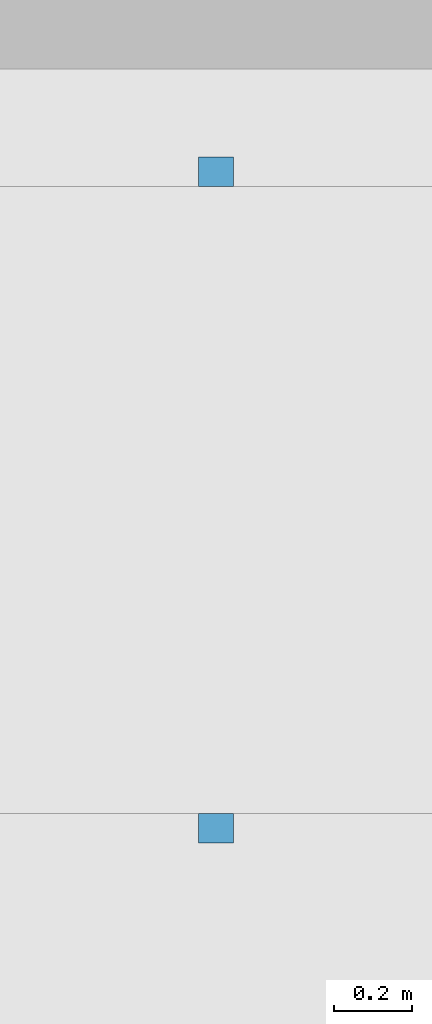
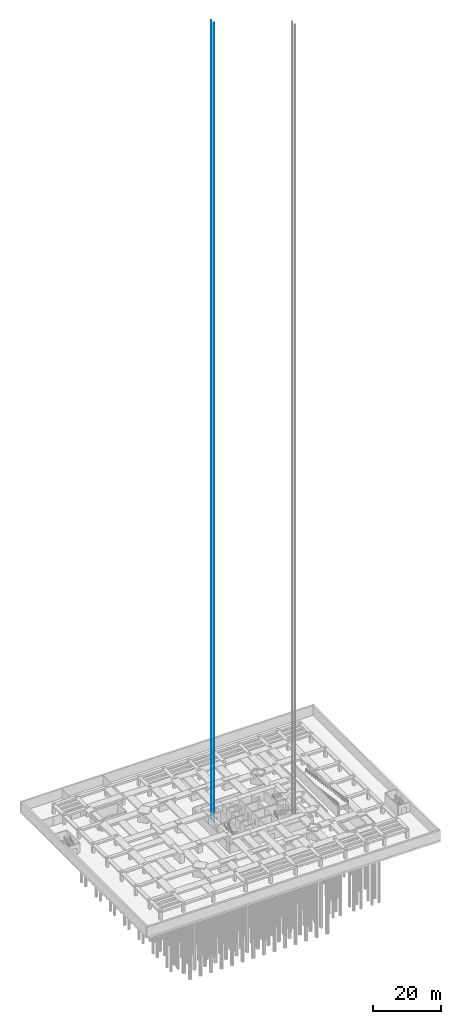
# One storey, part 12 of 15: 1 discrete accessory.
"""IFC4 building model written with IfcOpenShell, lengths in metres."""

from ifc_helpers import new_model, si_unit, direction, frame, origin, origin_2d, place, context, subcontext, project, spatial, rectangle, extrude, material, type_object, element, save


model = new_model("IFC4")

# Units and contexts
model_context = context("Model", 3, precision=1e-05, world=origin(), true_north=direction((0.0, 1.0)))
body_context = subcontext(model_context, "Body", "Model", "MODEL_VIEW")
ifc_project = project(units=[si_unit("LENGTHUNIT", "METRE"), si_unit("AREAUNIT", "SQUARE_METRE"), si_unit("VOLUMEUNIT", "CUBIC_METRE"), si_unit("PLANEANGLEUNIT", "RADIAN"), si_unit("MASSUNIT", "GRAM", prefix="KILO")], contexts=[model_context])

# Site, building, storey
site_placement = place(None, origin())
site = spatial("IfcSite", under=ifc_project, at=site_placement, CompositionType="ELEMENT")
building_placement = place(site_placement, origin())
building = spatial("IfcBuilding", under=site, at=building_placement, Name="Jalousie Tower", CompositionType="ELEMENT")
storey_placement = place(building_placement, frame((0.0, 0.0, -7.5)))
storey = spatial("IfcBuildingStorey", under=building, at=storey_placement, Name="B2", CompositionType="ELEMENT", Elevation=-7.5)

# Discrete accessory
ifc_material = material(Name="Steel ASTM A992 Grade 50", Category="steel")
discrete_accessory_type = type_object("IfcDiscreteAccessoryType", Name="LIFT GUIDE RAIL", PredefinedType="USERDEFINED", material=ifc_material)
discrete_accessory_placement = place(storey_placement, frame((21.800048828125, 24.89990234375, 0.0), z_axis=(0.0, 0.0, 1.0), x_axis=(1.0, 0.0, 0.0)))
element("IfcDiscreteAccessory", 1, at=discrete_accessory_placement, inside=storey, type_object=discrete_accessory_type, Name="Lift F1 guide rails", ObjectType="LIFT GUIDE RAILS", PredefinedType="USERDEFINED", context=body_context, shape_type="SweptSolid", body=[
    extrude(rectangle(XDim=0.09, YDim=0.075, at=origin_2d()), frame((0.0, -0.837646484375, 0.0)), (0.0, 0.0, 1.0), 287.64990234375),
    extrude(rectangle(XDim=0.09, YDim=0.075, at=origin_2d()), frame((0.0, 0.837646484375, 0.0)), (0.0, 0.0, 1.0), 287.64990234375),
])

save(model, "model.ifc")
